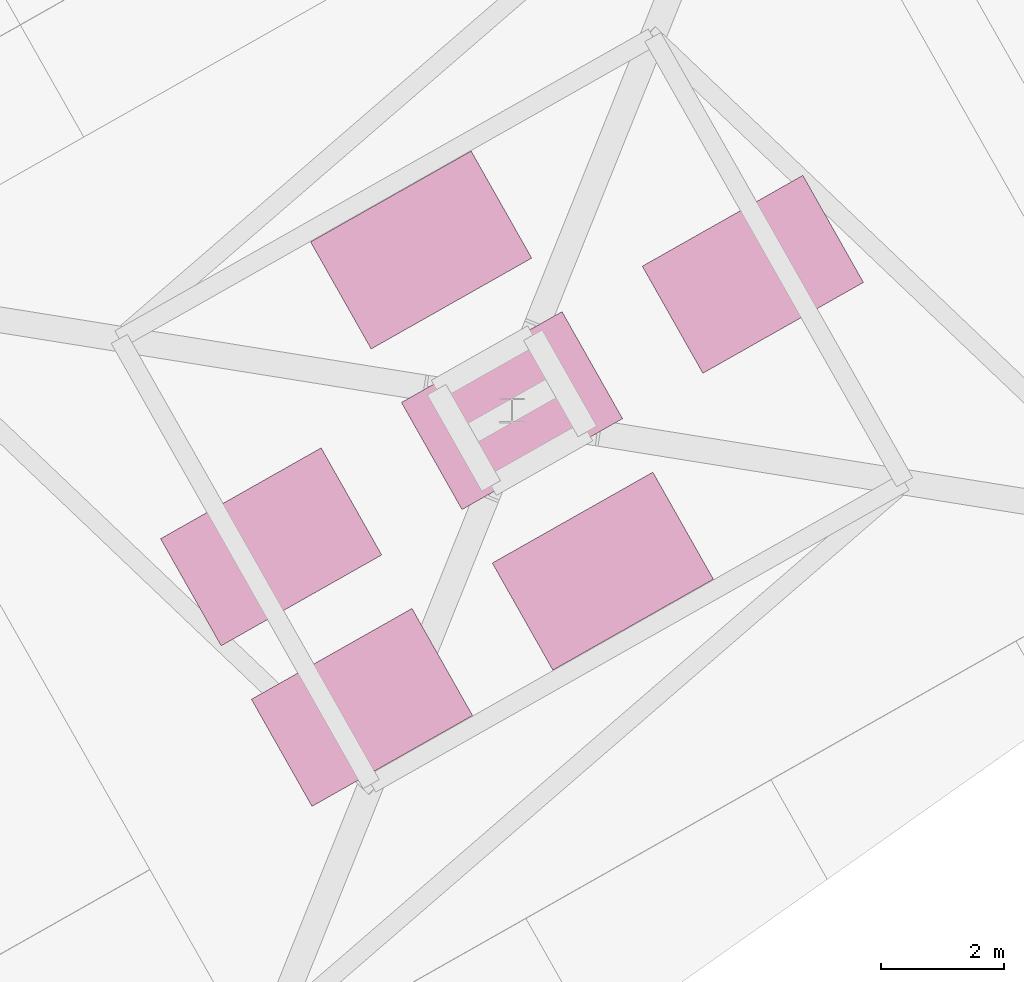
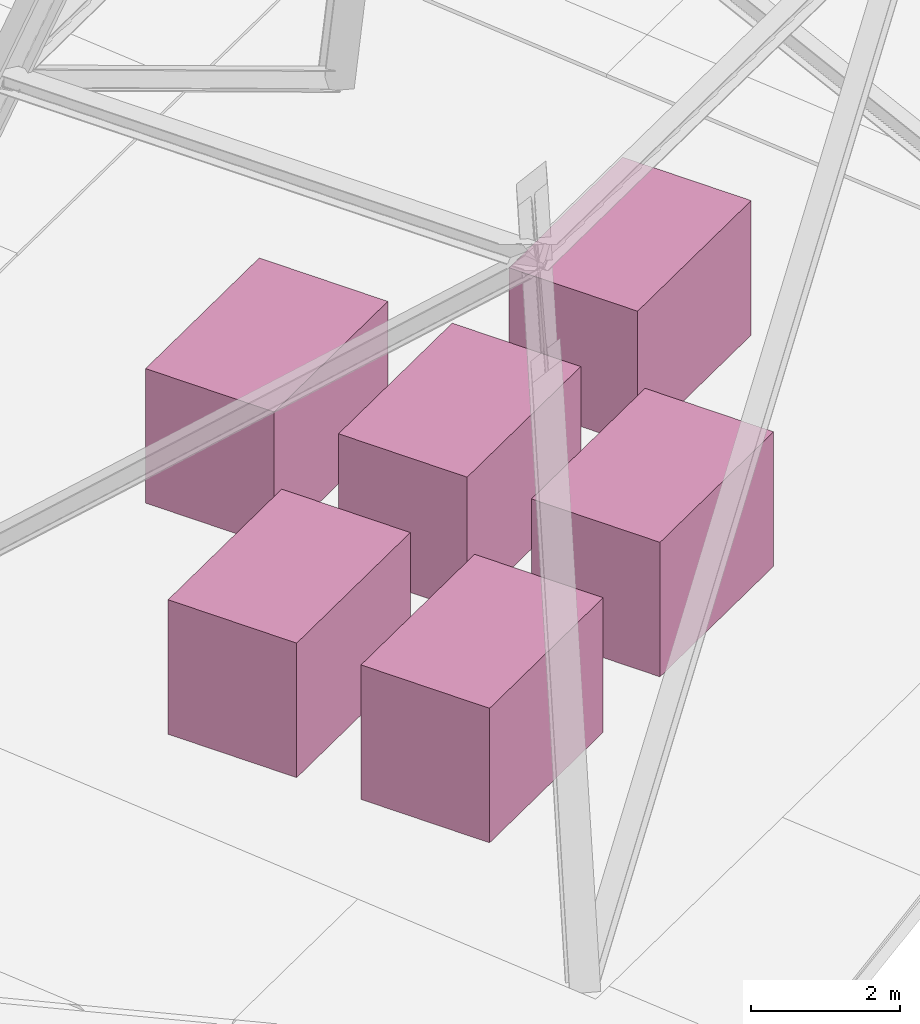
# One storey, part 5 of 5: 6 furnishings.
"""IFC4 building model written with IfcOpenShell, lengths in metres."""

from ifc_helpers import new_model, si_unit, direction, frame, origin, origin_2d, place, context, subcontext, project, spatial, rectangle, extrude, material, type_object, element, save


model = new_model("IFC4")

# Units and contexts
model_context = context("Model", 3, precision=1e-05, world=origin(), true_north=direction((0.0, 1.0)))
body_context = subcontext(model_context, "Body", "Model", "MODEL_VIEW")
ifc_project = project(units=[si_unit("LENGTHUNIT", "METRE"), si_unit("AREAUNIT", "SQUARE_METRE"), si_unit("VOLUMEUNIT", "CUBIC_METRE"), si_unit("PLANEANGLEUNIT", "RADIAN"), si_unit("MASSUNIT", "GRAM", prefix="KILO")], contexts=[model_context])

# Site, building, storey
site_placement = place(None, origin())
site = spatial("IfcSite", under=ifc_project, at=site_placement, CompositionType="ELEMENT")
building_placement = place(site_placement, origin())
building = spatial("IfcBuilding", under=site, at=building_placement, Name="Binnacle Exchange Tower", CompositionType="ELEMENT")
storey_placement = place(building_placement, frame((0.0, 0.0, 372.10009765625)))
storey = spatial("IfcBuildingStorey", under=building, at=storey_placement, Name="RF", CompositionType="ELEMENT", Elevation=372.10009765625)

# Furnishings
ifc_material = material(Name="Aluminium louvred casing", Category="aluminium")
furnishing_element_type = type_object("IfcFurnishingElementType", Name="ROOF PLANT UNIT 3000x2000x2200", material=ifc_material)
for number, where, z_axis, x_axis, name in (
    (1, (-35.763671875, 39.765869140625, 0.0), (0.0, 0.0, 1.0), (0.87035569594, 0.492423560103, 0.0), "Roof plant unit 1"),
    (2, (-34.286376953125, 37.15478515625, 0.0), (0.0, 0.0, 1.0), (0.87035569594, 0.492423560103, 0.0), "Roof plant unit 2"),
    (3, (-37.240966796875, 42.376953125, 0.0), (0.0, 0.0, 1.0), (0.87035569594, 0.492423560103, 0.0), "Roof plant unit 3"),
    (4, (-39.68017578125, 37.550048828125, 0.0), (0.0, 0.0, 1.0), (0.87035569594, 0.492423560103, 0.0), "Roof plant unit 4"),
    (5, (-31.846923828125, 41.981689453125, 0.0), (0.0, 0.0, 1.0), (0.87035569594, 0.492423560103, 0.0), "Roof plant unit 5"),
    (6, (-38.202880859375, 34.93896484375, 0.0), (0.0, 0.0, 1.0), (0.87035569594, 0.492423560103, 0.0), "Roof plant unit 6"),
):
    element("IfcFurnishingElement", number, at=place(storey_placement, frame(where, z_axis=z_axis, x_axis=x_axis)), inside=storey, type_object=furnishing_element_type, Name=name, ObjectType="ROOF PLANT UNIT", context=body_context, shape_type="SweptSolid", body=[
        extrude(rectangle(XDim=3.0, YDim=2.0, at=origin_2d()), origin(), (0.0, 0.0, 1.0), 2.199951171875),
    ])

save(model, "model.ifc")
